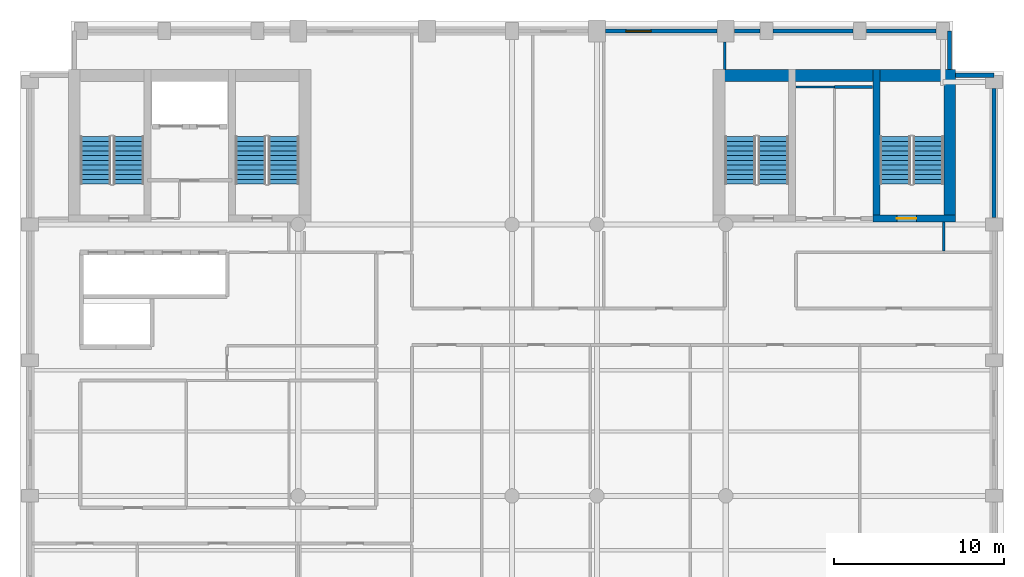
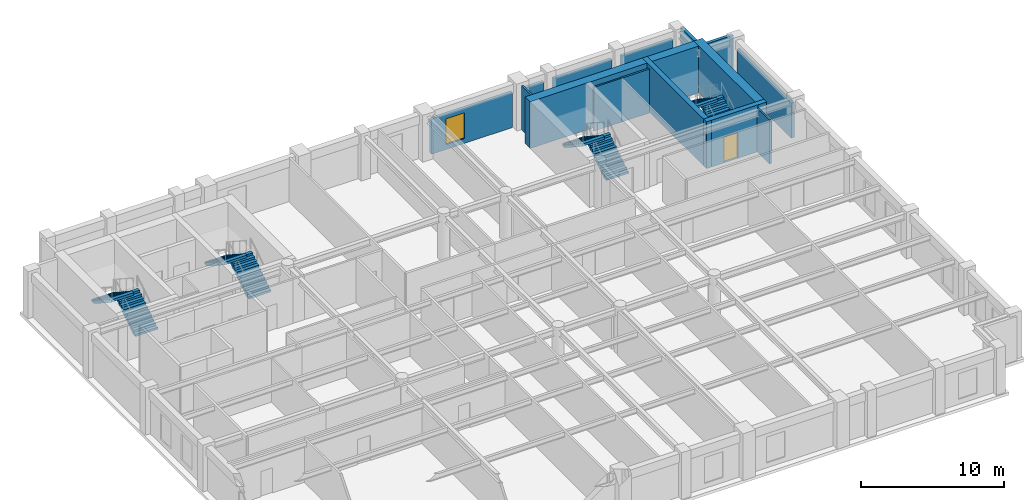
# One storey, part 6 of 8: 15 walls, 8 stair flights, 1 door, 1 window, 2 openings, 4 elements without a shape of their own.
"""IFC4 building model written with IfcOpenShell, lengths in metres."""

from ifc_helpers import new_model, si_unit, direction, frame, frame_2d, origin, place, context, subcontext, project, spatial, polyline, rectangle, outline, extrude, material, layer, layer_set, type_object, element, fill, aggregate, save


model = new_model("IFC4")

# Units and contexts
model_context = context("Model", 3, precision=1e-05, world=origin(), true_north=direction((0.0, 1.0)))
body_context = subcontext(model_context, "Body", "Model", "MODEL_VIEW")
ifc_project = project(units=[si_unit("LENGTHUNIT", "METRE"), si_unit("AREAUNIT", "SQUARE_METRE"), si_unit("VOLUMEUNIT", "CUBIC_METRE"), si_unit("PLANEANGLEUNIT", "RADIAN"), si_unit("MASSUNIT", "GRAM", prefix="KILO")], contexts=[model_context])

# Site, building, storey
site_placement = place(None, origin())
site = spatial("IfcSite", under=ifc_project, at=site_placement, CompositionType="ELEMENT")
building_placement = place(site_placement, origin())
building = spatial("IfcBuilding", under=site, at=building_placement, Name="Sulina Concourse Tower", CompositionType="ELEMENT")
storey_placement = place(building_placement, frame((0.0, 0.0, 260.60009765625)))
storey = spatial("IfcBuildingStorey", under=building, at=storey_placement, Name="L63", CompositionType="ELEMENT", Elevation=260.60009765625)

# Wall, opening, window
ifc_material_1 = material(Name="Precast concrete C50/60", Category="concrete")
ifc_layer_1 = layer(ifc_material_1, 0.239990234375)
ifc_layer_set_1 = layer_set([ifc_layer_1], Name="Precast concrete C50/60")
wall_type_1 = type_object("IfcWallType", Name="Crown Precast Masonry-Frame Facade Wall 240mm", PredefinedType="SOLIDWALL", material=ifc_layer_set_1)
wall_1_placement = place(storey_placement, frame((34.52001953125, 45.39990234375, 0.0), z_axis=(0.0, 0.0, 1.0), x_axis=(1.0, 0.0, 0.0)))
wall_1 = element("IfcWall", 1, at=wall_1_placement, inside=storey, type_object=wall_type_1, Name="L63 exterior precast wall N7", PredefinedType="SOLIDWALL", context=body_context, shape_type="SweptSolid", body=[
    extrude(rectangle(XDim=6.56005859375, YDim=0.239990234375, at=frame_2d((3.280029296875, 0.0))), origin(), (0.0, 0.0, 1.0), 3.0),
])
opening_1_placement = place(wall_1_placement, frame((1.186767578125, 0.0, 0.419921875)))
opening_1 = element("IfcOpeningElement", 2, at=opening_1_placement, cuts=wall_1, Name="Opening WN-71", PredefinedType="OPENING", context=body_context, shape_type="SweptSolid", body=[
    extrude(rectangle(XDim=1.5, YDim=2.199951171875, at=frame_2d((0.75, 1.10009765625))), frame((0.0, 0.1298828125, 0.0), z_axis=(0.0, -1.0, 0.0), x_axis=(1.0, 0.0, 0.0)), (0.0, 0.0, 1.0), 0.260009765625),
])
ifc_material_2 = material(Name="Low-E solar double glazing in bronze aluminium", Category="aluminium")
window_type = type_object("IfcWindowType", Name="Punched Masonry-Frame Window 1500x2200", PartitioningType="SINGLE_PANEL", PredefinedType="WINDOW", material=ifc_material_2)
window_placement = place(opening_1_placement, origin())
window = element("IfcWindow", 3, at=window_placement, inside=storey, type_object=window_type, Name="L63 punched window N7-1", OverallHeight=2.199951171875, OverallWidth=1.5, PartitioningType="SINGLE_PANEL", PredefinedType="WINDOW", context=body_context, shape_type="SweptSolid", body=[
    extrude(rectangle(XDim=1.5, YDim=2.199951171875, at=frame_2d((0.75, 1.10009765625))), frame((0.0, 0.030029296875, 0.0), z_axis=(0.0, -1.0, 0.0), x_axis=(1.0, 0.0, 0.0)), (0.0, 0.0, 1.0), 0.06005859375),
])
fill(opening_1, window)

# Walls
wall_2_placement = place(storey_placement, frame((42.1201171875, 45.39990234375, 0.0), z_axis=(0.0, 0.0, 1.0), x_axis=(1.0, 0.0, 0.0)))
element("IfcWall", 4, at=wall_2_placement, inside=storey, type_object=wall_type_1, Name="L63 exterior precast wall N8", PredefinedType="SOLIDWALL", context=body_context, shape_type="SweptSolid", body=[
    extrude(rectangle(XDim=1.48486328125, YDim=0.239990234375, at=frame_2d((0.742431640625, 0.0))), origin(), (0.0, 0.0, 1.0), 3.0),
])
wall_3_placement = place(storey_placement, frame((44.39501953125, 45.39990234375, 0.0), z_axis=(0.0, 0.0, 1.0), x_axis=(1.0, 0.0, 0.0)))
element("IfcWall", 5, at=wall_3_placement, inside=storey, type_object=wall_type_1, Name="L63 exterior precast wall N9", PredefinedType="SOLIDWALL", context=body_context, shape_type="SweptSolid", body=[
    extrude(rectangle(XDim=4.7099609375, YDim=0.239990234375, at=frame_2d((2.35498046875, 0.0))), origin(), (0.0, 0.0, 1.0), 3.0),
])
wall_4_placement = place(storey_placement, frame((49.89501953125, 45.39990234375, 0.0), z_axis=(0.0, 0.0, 1.0), x_axis=(1.0, 0.0, 0.0)))
element("IfcWall", 6, at=wall_4_placement, inside=storey, type_object=wall_type_1, Name="L63 exterior precast wall N10", PredefinedType="SOLIDWALL", context=body_context, shape_type="SweptSolid", body=[
    extrude(rectangle(XDim=4.10986328125, YDim=0.239990234375, at=frame_2d((2.054931640625, 0.0))), origin(), (0.0, 0.0, 1.0), 3.0),
])
wall_5_placement = place(storey_placement, frame((57.39990234375, 42.0048828125, 0.0), z_axis=(0.0, 0.0, 1.0), x_axis=(0.0, -1.0, 0.0)))
element("IfcWall", 7, at=wall_5_placement, inside=storey, type_object=wall_type_1, Name="L63 exterior precast wall E5", PredefinedType="SOLIDWALL", context=body_context, shape_type="SweptSolid", body=[
    extrude(rectangle(XDim=7.60986328125, YDim=0.239990234375, at=frame_2d((3.804931640625, 0.0))), origin(), (0.0, 0.0, 1.0), 3.0),
])
wall_6_placement = place(storey_placement, frame((54.794921875, 45.39990234375, 0.0), z_axis=(0.0, 0.0, 1.0), x_axis=(0.0, -1.0, 0.0)))
element("IfcWall", 8, at=wall_6_placement, inside=storey, type_object=wall_type_1, Name="L63 exterior precast wall CNE1", PredefinedType="SOLIDWALL", context=body_context, shape_type="SweptSolid", body=[
    extrude(rectangle(XDim=2.264892578125, YDim=0.239990234375, at=frame_2d((1.13232421875, 0.0))), origin(), (0.0, 0.0, 1.0), 3.75),
])
wall_7_placement = place(storey_placement, frame((55.155029296875, 42.794921875, 0.0), z_axis=(0.0, 0.0, 1.0), x_axis=(1.0, 0.0, 0.0)))
element("IfcWall", 9, at=wall_7_placement, inside=storey, type_object=wall_type_1, Name="L63 exterior precast wall CNE2", PredefinedType="SOLIDWALL", context=body_context, shape_type="SweptSolid", body=[
    extrude(rectangle(XDim=2.244873046875, YDim=0.239990234375, at=frame_2d((1.12255859375, 0.0))), origin(), (0.0, 0.0, 1.0), 3.75),
])
ifc_material_3 = material(Name="Gypsum board on steel stud", Category="steel")
ifc_layer_2 = layer(ifc_material_3, 0.14990234375)
ifc_layer_set_2 = layer_set([ifc_layer_2], Name="Gypsum board on steel stud")
wall_type_2 = type_object("IfcWallType", Name="Inter-Tenancy Acoustic Partition 150mm", PredefinedType="PARTITIONING", material=ifc_layer_set_2)
wall_8_placement = place(storey_placement, frame((48.0, 42.10009765625, 0.0), z_axis=(0.0, 0.0, 1.0), x_axis=(1.0, 0.0, 0.0)))
element("IfcWall", 10, at=wall_8_placement, inside=storey, type_object=wall_type_2, Name="L63 interior partition 030", PredefinedType="PARTITIONING", context=body_context, shape_type="SweptSolid", body=[
    extrude(rectangle(XDim=2.25, YDim=0.14990234375, at=frame_2d((1.125, 0.0))), origin(), (0.0, 0.0, 1.0), 3.75),
])
wall_9_placement = place(storey_placement, frame((41.550048828125, 43.1298828125, 0.0), z_axis=(0.0, 0.0, 1.0), x_axis=(0.0, 1.0, 0.0)))
element("IfcWall", 11, at=wall_9_placement, inside=storey, type_object=wall_type_2, Name="L63 interior partition 057", PredefinedType="PARTITIONING", context=body_context, shape_type="SweptSolid", body=[
    extrude(rectangle(XDim=1.6201171875, YDim=0.14990234375, at=frame_2d((0.81005859375, 0.0))), origin(), (0.0, 0.0, 1.0), 3.75),
])
wall_10_placement = place(storey_placement, frame((54.449951171875, 32.425048828125, 0.0), z_axis=(0.0, 0.0, 1.0), x_axis=(0.0, 1.0, 0.0)))
element("IfcWall", 12, at=wall_10_placement, inside=storey, type_object=wall_type_2, Name="L63 interior partition 061", PredefinedType="PARTITIONING", context=body_context, shape_type="SweptSolid", body=[
    extrude(rectangle(XDim=1.724853515625, YDim=0.14990234375, at=frame_2d((0.8623046875, 0.0))), origin(), (0.0, 0.0, 1.0), 3.75),
])

# Wall, opening, door
ifc_material_4 = material(Name="Concrete C60/75", Category="concrete")
ifc_layer_3 = layer(ifc_material_4, 0.39990234375)
ifc_layer_set_3 = layer_set([ifc_layer_3], Name="Concrete C60/75")
wall_type_3 = type_object("IfcWallType", Name="Protected Stair Core Shear Wall 400mm", PredefinedType="SHEAR", material=ifc_layer_set_3)
wall_11_placement = place(storey_placement, frame((50.2900390625, 34.35009765625, 0.0), z_axis=(0.0, 0.0, 1.0), x_axis=(1.0, 0.0, 0.0)))
wall_11 = element("IfcWall", 13, at=wall_11_placement, inside=storey, type_object=wall_type_3, Name="L63 east core shear wall CW-ES2", PredefinedType="SHEAR", context=body_context, shape_type="SweptSolid", body=[
    extrude(rectangle(XDim=4.85986328125, YDim=0.39990234375, at=frame_2d((2.429931640625, 0.0))), origin(), (0.0, 0.0, 1.0), 4.0),
])
opening_2_placement = place(wall_11_placement, frame((1.39990234375, 0.0, 0.0)))
opening_2 = element("IfcOpeningElement", 14, at=opening_2_placement, cuts=wall_11, Name="Opening DR-60", PredefinedType="OPENING", context=body_context, shape_type="SweptSolid", body=[
    extrude(rectangle(XDim=1.14990234375, YDim=2.199951171875, at=frame_2d((0.574951171875, 1.10009765625))), frame((0.0, 0.2099609375, 0.0), z_axis=(0.0, -1.0, 0.0), x_axis=(1.0, 0.0, 0.0)), (0.0, 0.0, 1.0), 0.419921875),
])
ifc_material_5 = material(Name="Galvanised steel acoustic fire leaf", Category="steel")
ifc_layer_4 = layer(ifc_material_5, 0.054931640625)
ifc_layer_set_4 = layer_set([ifc_layer_4], Name="Galvanised steel acoustic fire leaf")
door_type = type_object("IfcDoorType", Name="Protected Exit Stair Fire Door 1150x2200", OperationType="NOTDEFINED", PredefinedType="DOOR", material=ifc_layer_set_4)
door_placement = place(opening_2_placement, origin())
door = element("IfcDoor", 15, at=door_placement, inside=storey, type_object=door_type, Name="L63 stair ST-4 south lobby fire door", OperationType="SINGLE_SWING_RIGHT", OverallHeight=2.199951171875, OverallWidth=1.14990234375, PredefinedType="DOOR", context=body_context, shape_type="SweptSolid", body=[
    extrude(rectangle(XDim=1.14990234375, YDim=2.199951171875, at=frame_2d((0.574951171875, 1.10009765625))), frame((0.0, 0.02490234375, 0.0), z_axis=(0.0, -1.0, 0.0), x_axis=(1.0, 0.0, 0.0)), (0.0, 0.0, 1.0), 0.050048828125),
])
fill(opening_2, door)

# Walls
wall_12_placement = place(storey_placement, frame((50.489990234375, 34.14990234375, 0.0), z_axis=(0.0, 0.0, 1.0), x_axis=(0.0, 1.0, 0.0)))
element("IfcWall", 16, at=wall_12_placement, inside=storey, type_object=wall_type_3, Name="L63 east core shear wall SW-ST4", PredefinedType="SHEAR", context=body_context, shape_type="SweptSolid", body=[
    extrude(rectangle(XDim=8.97998046875, YDim=0.39990234375, at=frame_2d((4.489990234375, 0.0))), origin(), (0.0, 0.0, 1.0), 4.0),
])
ifc_material_6 = material(Name="Concrete C60/75", Category="concrete")
ifc_layer_5 = layer(ifc_material_6, 0.699951171875)
ifc_layer_set_5 = layer_set([ifc_layer_5], Name="Concrete C60/75")
wall_type_4 = type_object("IfcWallType", Name="Rear Core Shear Wall 700mm", PredefinedType="SHEAR", material=ifc_layer_set_5)
wall_13_placement = place(storey_placement, frame((40.85009765625, 42.780029296875, 0.0), z_axis=(0.0, 0.0, 1.0), x_axis=(1.0, 0.0, 0.0)))
element("IfcWall", 17, at=wall_13_placement, inside=storey, type_object=wall_type_4, Name="L63 east core shear wall CW-EN", PredefinedType="SHEAR", context=body_context, shape_type="SweptSolid", body=[
    extrude(rectangle(XDim=14.2998046875, YDim=0.699951171875, at=frame_2d((7.14990234375, 0.0))), origin(), (0.0, 0.0, 1.0), 4.0),
])
wall_14_placement = place(storey_placement, frame((54.800048828125, 34.14990234375, 0.0), z_axis=(0.0, 0.0, 1.0), x_axis=(0.0, 1.0, 0.0)))
element("IfcWall", 18, at=wall_14_placement, inside=storey, type_object=wall_type_4, Name="L63 east core shear wall CW-EE", PredefinedType="SHEAR", context=body_context, shape_type="SweptSolid", body=[
    extrude(rectangle(XDim=8.97998046875, YDim=0.699951171875, at=frame_2d((4.489990234375, 0.0))), origin(), (0.0, 0.0, 1.0), 4.0),
])
ifc_material_7 = material(Name="Gypsum board on steel stud", Category="steel")
ifc_layer_6 = layer(ifc_material_7, 0.125)
ifc_layer_set_6 = layer_set([ifc_layer_6], Name="Gypsum board on steel stud")
wall_type_5 = type_object("IfcWallType", Name="Wet-Area Moisture-Resistant Partition 125mm", PredefinedType="PARTITIONING", material=ifc_layer_set_6)
wall_15_placement = place(storey_placement, frame((45.75, 42.10009765625, 0.0), z_axis=(0.0, 0.0, 1.0), x_axis=(1.0, 0.0, 0.0)))
element("IfcWall", 19, at=wall_15_placement, inside=storey, type_object=wall_type_5, Name="L63 interior partition 029", PredefinedType="PARTITIONING", context=body_context, shape_type="SweptSolid", body=[
    extrude(rectangle(XDim=2.25, YDim=0.125, at=frame_2d((1.125, 0.0))), origin(), (0.0, 0.0, 1.0), 3.75),
])

# Stair, stair flights
ifc_material_8 = material(Name="Concrete C50/60", Category="concrete")
stair_type_1 = type_object("IfcStairType", Name="Portal & Podium Core Exit Stair 1820mm", PredefinedType="HALF_TURN_STAIR", material=ifc_material_8)
stair_1_placement = place(storey_placement, origin())
stair_1 = element("IfcStair", 20, at=stair_1_placement, inside=storey, type_object=stair_type_1, Name="L63 ST-3", PredefinedType="HALF_TURN_STAIR")
ifc_material_9 = material(Name="Concrete C50/60", Category="concrete")
stair_flight_type_1 = type_object("IfcStairFlightType", Name="Portal & Podium Core Exit Stair 1820mm Flight", PredefinedType="STRAIGHT", material=ifc_material_9)
stair_flight_1_placement = place(storey_placement, frame((44.405029296875, 36.375, 0.0), z_axis=(0.0, 0.0, 1.0), x_axis=(0.0, 1.0, 0.0)))
stair_flight_1 = element("IfcStairFlight", 21, at=stair_flight_1_placement, type_object=stair_flight_type_1, Name="ST-3 flight 1", NumberOfRisers=11, NumberOfTreads=10, PredefinedType="STRAIGHT", RiserHeight=0.181818182, TreadLength=0.28, context=body_context, shape_type="SweptSolid", body=[
    extrude(outline(polyline([(0.0, 0.0), (0.0, 0.181884765625), (0.280029296875, 0.181884765625), (0.280029296875, 0.363525390625), (0.56005859375, 0.363525390625), (0.56005859375, 0.54541015625), (0.840087890625, 0.54541015625), (0.840087890625, 0.727294921875), (1.1201171875, 0.727294921875), (1.1201171875, 0.9091796875), (1.39990234375, 0.9091796875), (1.39990234375, 1.0908203125), (1.679931640625, 1.0908203125), (1.679931640625, 1.272705078125), (1.9599609375, 1.272705078125), (1.9599609375, 1.45458984375), (2.239990234375, 1.45458984375), (2.239990234375, 1.636474609375), (2.52001953125, 1.636474609375), (2.52001953125, 1.818115234375), (2.800048828125, 1.818115234375), (2.800048828125, 2.0), (2.800048828125, 1.603759765625), (0.330322265625, 0.0), (0.0, 0.0)])), frame((0.0, 0.89990234375, 0.0), z_axis=(0.0, -1.0, 0.0), x_axis=(1.0, 0.0, 0.0)), (0.0, 0.0, 1.0), 1.800048828125),
])
stair_flight_2_placement = place(storey_placement, frame((42.455078125, 39.175048828125, 2.0), z_axis=(0.0, 0.0, 1.0), x_axis=(0.0, -1.0, 0.0)))
stair_flight_2 = element("IfcStairFlight", 22, at=stair_flight_2_placement, type_object=stair_flight_type_1, Name="ST-3 flight 2", NumberOfRisers=11, NumberOfTreads=10, PredefinedType="STRAIGHT", RiserHeight=0.181818182, TreadLength=0.28, context=body_context, shape_type="SweptSolid", body=[
    extrude(outline(polyline([(0.0, 0.0), (0.0, 0.181884765625), (0.280029296875, 0.181884765625), (0.280029296875, 0.363525390625), (0.56005859375, 0.363525390625), (0.56005859375, 0.54541015625), (0.840087890625, 0.54541015625), (0.840087890625, 0.727294921875), (1.1201171875, 0.727294921875), (1.1201171875, 0.9091796875), (1.39990234375, 0.9091796875), (1.39990234375, 1.0908203125), (1.679931640625, 1.0908203125), (1.679931640625, 1.272705078125), (1.9599609375, 1.272705078125), (1.9599609375, 1.45458984375), (2.239990234375, 1.45458984375), (2.239990234375, 1.636474609375), (2.52001953125, 1.636474609375), (2.52001953125, 1.818115234375), (2.800048828125, 1.818115234375), (2.800048828125, 2.0), (2.800048828125, 1.603759765625), (0.330322265625, 0.0), (0.0, 0.0)])), frame((0.0, 0.89990234375, 0.0), z_axis=(0.0, -1.0, 0.0), x_axis=(1.0, 0.0, 0.0)), (0.0, 0.0, 1.0), 1.800048828125),
])
aggregate(stair_1, [stair_flight_1, stair_flight_2])

stair_2_placement = place(storey_placement, origin())
stair_2 = element("IfcStair", 23, at=stair_2_placement, inside=storey, type_object=stair_type_1, Name="L63 ST-4", PredefinedType="HALF_TURN_STAIR")
stair_flight_3_placement = place(storey_placement, frame((53.544921875, 36.375, 0.0), z_axis=(0.0, 0.0, 1.0), x_axis=(0.0, 1.0, 0.0)))
stair_flight_3 = element("IfcStairFlight", 24, at=stair_flight_3_placement, type_object=stair_flight_type_1, Name="ST-4 flight 1", NumberOfRisers=11, NumberOfTreads=10, PredefinedType="STRAIGHT", RiserHeight=0.181818182, TreadLength=0.28, context=body_context, shape_type="SweptSolid", body=[
    extrude(outline(polyline([(0.0, 0.0), (0.0, 0.181884765625), (0.280029296875, 0.181884765625), (0.280029296875, 0.363525390625), (0.56005859375, 0.363525390625), (0.56005859375, 0.54541015625), (0.840087890625, 0.54541015625), (0.840087890625, 0.727294921875), (1.1201171875, 0.727294921875), (1.1201171875, 0.9091796875), (1.39990234375, 0.9091796875), (1.39990234375, 1.0908203125), (1.679931640625, 1.0908203125), (1.679931640625, 1.272705078125), (1.9599609375, 1.272705078125), (1.9599609375, 1.45458984375), (2.239990234375, 1.45458984375), (2.239990234375, 1.636474609375), (2.52001953125, 1.636474609375), (2.52001953125, 1.818115234375), (2.800048828125, 1.818115234375), (2.800048828125, 2.0), (2.800048828125, 1.603759765625), (0.330322265625, 0.0), (0.0, 0.0)])), frame((0.0, 0.89990234375, 0.0), z_axis=(0.0, -1.0, 0.0), x_axis=(1.0, 0.0, 0.0)), (0.0, 0.0, 1.0), 1.800048828125),
])
stair_flight_4_placement = place(storey_placement, frame((51.594970703125, 39.175048828125, 2.0), z_axis=(0.0, 0.0, 1.0), x_axis=(0.0, -1.0, 0.0)))
stair_flight_4 = element("IfcStairFlight", 25, at=stair_flight_4_placement, type_object=stair_flight_type_1, Name="ST-4 flight 2", NumberOfRisers=11, NumberOfTreads=10, PredefinedType="STRAIGHT", RiserHeight=0.181818182, TreadLength=0.28, context=body_context, shape_type="SweptSolid", body=[
    extrude(outline(polyline([(0.0, 0.0), (0.0, 0.181884765625), (0.280029296875, 0.181884765625), (0.280029296875, 0.363525390625), (0.56005859375, 0.363525390625), (0.56005859375, 0.54541015625), (0.840087890625, 0.54541015625), (0.840087890625, 0.727294921875), (1.1201171875, 0.727294921875), (1.1201171875, 0.9091796875), (1.39990234375, 0.9091796875), (1.39990234375, 1.0908203125), (1.679931640625, 1.0908203125), (1.679931640625, 1.272705078125), (1.9599609375, 1.272705078125), (1.9599609375, 1.45458984375), (2.239990234375, 1.45458984375), (2.239990234375, 1.636474609375), (2.52001953125, 1.636474609375), (2.52001953125, 1.818115234375), (2.800048828125, 1.818115234375), (2.800048828125, 2.0), (2.800048828125, 1.603759765625), (0.330322265625, 0.0), (0.0, 0.0)])), frame((0.0, 0.89990234375, 0.0), z_axis=(0.0, -1.0, 0.0), x_axis=(1.0, 0.0, 0.0)), (0.0, 0.0, 1.0), 1.800048828125),
])
aggregate(stair_2, [stair_flight_3, stair_flight_4])

ifc_material_10 = material(Name="Concrete C50/60", Category="concrete")
stair_type_2 = type_object("IfcStairType", Name="Primary Core Dog-Leg Exit Stair 1800mm", PredefinedType="HALF_TURN_STAIR", material=ifc_material_10)
stair_3_placement = place(storey_placement, origin())
stair_3 = element("IfcStair", 26, at=stair_3_placement, inside=storey, type_object=stair_type_2, Name="L63 ST-1", PredefinedType="HALF_TURN_STAIR")
ifc_material_11 = material(Name="Concrete C50/60", Category="concrete")
stair_flight_type_2 = type_object("IfcStairFlightType", Name="Primary Core Dog-Leg Exit Stair 1800mm Flight", PredefinedType="STRAIGHT", material=ifc_material_11)
stair_flight_5_placement = place(storey_placement, frame((6.405029296875, 36.375, 0.0), z_axis=(0.0, 0.0, 1.0), x_axis=(0.0, 1.0, 0.0)))
stair_flight_5 = element("IfcStairFlight", 27, at=stair_flight_5_placement, type_object=stair_flight_type_2, Name="ST-1 flight 1", NumberOfRisers=11, NumberOfTreads=10, PredefinedType="STRAIGHT", RiserHeight=0.181818182, TreadLength=0.28, context=body_context, shape_type="SweptSolid", body=[
    extrude(outline(polyline([(0.0, 0.0), (0.0, 0.181884765625), (0.280029296875, 0.181884765625), (0.280029296875, 0.363525390625), (0.56005859375, 0.363525390625), (0.56005859375, 0.54541015625), (0.840087890625, 0.54541015625), (0.840087890625, 0.727294921875), (1.1201171875, 0.727294921875), (1.1201171875, 0.9091796875), (1.39990234375, 0.9091796875), (1.39990234375, 1.0908203125), (1.679931640625, 1.0908203125), (1.679931640625, 1.272705078125), (1.9599609375, 1.272705078125), (1.9599609375, 1.45458984375), (2.239990234375, 1.45458984375), (2.239990234375, 1.636474609375), (2.52001953125, 1.636474609375), (2.52001953125, 1.818115234375), (2.800048828125, 1.818115234375), (2.800048828125, 2.0), (2.800048828125, 1.603759765625), (0.330322265625, 0.0), (0.0, 0.0)])), frame((0.0, 0.89990234375, 0.0), z_axis=(0.0, -1.0, 0.0), x_axis=(1.0, 0.0, 0.0)), (0.0, 0.0, 1.0), 1.800048828125),
])
stair_flight_6_placement = place(storey_placement, frame((4.455078125, 39.175048828125, 2.0), z_axis=(0.0, 0.0, 1.0), x_axis=(0.0, -1.0, 0.0)))
stair_flight_6 = element("IfcStairFlight", 28, at=stair_flight_6_placement, type_object=stair_flight_type_2, Name="ST-1 flight 2", NumberOfRisers=11, NumberOfTreads=10, PredefinedType="STRAIGHT", RiserHeight=0.181818182, TreadLength=0.28, context=body_context, shape_type="SweptSolid", body=[
    extrude(outline(polyline([(0.0, 0.0), (0.0, 0.181884765625), (0.280029296875, 0.181884765625), (0.280029296875, 0.363525390625), (0.56005859375, 0.363525390625), (0.56005859375, 0.54541015625), (0.840087890625, 0.54541015625), (0.840087890625, 0.727294921875), (1.1201171875, 0.727294921875), (1.1201171875, 0.9091796875), (1.39990234375, 0.9091796875), (1.39990234375, 1.0908203125), (1.679931640625, 1.0908203125), (1.679931640625, 1.272705078125), (1.9599609375, 1.272705078125), (1.9599609375, 1.45458984375), (2.239990234375, 1.45458984375), (2.239990234375, 1.636474609375), (2.52001953125, 1.636474609375), (2.52001953125, 1.818115234375), (2.800048828125, 1.818115234375), (2.800048828125, 2.0), (2.800048828125, 1.603759765625), (0.330322265625, 0.0), (0.0, 0.0)])), frame((0.0, 0.89990234375, 0.0), z_axis=(0.0, -1.0, 0.0), x_axis=(1.0, 0.0, 0.0)), (0.0, 0.0, 1.0), 1.800048828125),
])
aggregate(stair_3, [stair_flight_5, stair_flight_6])

stair_4_placement = place(storey_placement, origin())
stair_4 = element("IfcStair", 29, at=stair_4_placement, inside=storey, type_object=stair_type_2, Name="L63 ST-2", PredefinedType="HALF_TURN_STAIR")
stair_flight_7_placement = place(storey_placement, frame((15.544921875, 36.375, 0.0), z_axis=(0.0, 0.0, 1.0), x_axis=(0.0, 1.0, 0.0)))
stair_flight_7 = element("IfcStairFlight", 30, at=stair_flight_7_placement, type_object=stair_flight_type_2, Name="ST-2 flight 1", NumberOfRisers=11, NumberOfTreads=10, PredefinedType="STRAIGHT", RiserHeight=0.181818182, TreadLength=0.28, context=body_context, shape_type="SweptSolid", body=[
    extrude(outline(polyline([(0.0, 0.0), (0.0, 0.181884765625), (0.280029296875, 0.181884765625), (0.280029296875, 0.363525390625), (0.56005859375, 0.363525390625), (0.56005859375, 0.54541015625), (0.840087890625, 0.54541015625), (0.840087890625, 0.727294921875), (1.1201171875, 0.727294921875), (1.1201171875, 0.9091796875), (1.39990234375, 0.9091796875), (1.39990234375, 1.0908203125), (1.679931640625, 1.0908203125), (1.679931640625, 1.272705078125), (1.9599609375, 1.272705078125), (1.9599609375, 1.45458984375), (2.239990234375, 1.45458984375), (2.239990234375, 1.636474609375), (2.52001953125, 1.636474609375), (2.52001953125, 1.818115234375), (2.800048828125, 1.818115234375), (2.800048828125, 2.0), (2.800048828125, 1.603759765625), (0.330322265625, 0.0), (0.0, 0.0)])), frame((0.0, 0.89990234375, 0.0), z_axis=(0.0, -1.0, 0.0), x_axis=(1.0, 0.0, 0.0)), (0.0, 0.0, 1.0), 1.800048828125),
])
stair_flight_8_placement = place(storey_placement, frame((13.594970703125, 39.175048828125, 2.0), z_axis=(0.0, 0.0, 1.0), x_axis=(0.0, -1.0, 0.0)))
stair_flight_8 = element("IfcStairFlight", 31, at=stair_flight_8_placement, type_object=stair_flight_type_2, Name="ST-2 flight 2", NumberOfRisers=11, NumberOfTreads=10, PredefinedType="STRAIGHT", RiserHeight=0.181818182, TreadLength=0.28, context=body_context, shape_type="SweptSolid", body=[
    extrude(outline(polyline([(0.0, 0.0), (0.0, 0.181884765625), (0.280029296875, 0.181884765625), (0.280029296875, 0.363525390625), (0.56005859375, 0.363525390625), (0.56005859375, 0.54541015625), (0.840087890625, 0.54541015625), (0.840087890625, 0.727294921875), (1.1201171875, 0.727294921875), (1.1201171875, 0.9091796875), (1.39990234375, 0.9091796875), (1.39990234375, 1.0908203125), (1.679931640625, 1.0908203125), (1.679931640625, 1.272705078125), (1.9599609375, 1.272705078125), (1.9599609375, 1.45458984375), (2.239990234375, 1.45458984375), (2.239990234375, 1.636474609375), (2.52001953125, 1.636474609375), (2.52001953125, 1.818115234375), (2.800048828125, 1.818115234375), (2.800048828125, 2.0), (2.800048828125, 1.603759765625), (0.330322265625, 0.0), (0.0, 0.0)])), frame((0.0, 0.89990234375, 0.0), z_axis=(0.0, -1.0, 0.0), x_axis=(1.0, 0.0, 0.0)), (0.0, 0.0, 1.0), 1.800048828125),
])
aggregate(stair_4, [stair_flight_7, stair_flight_8])

save(model, "model.ifc")
